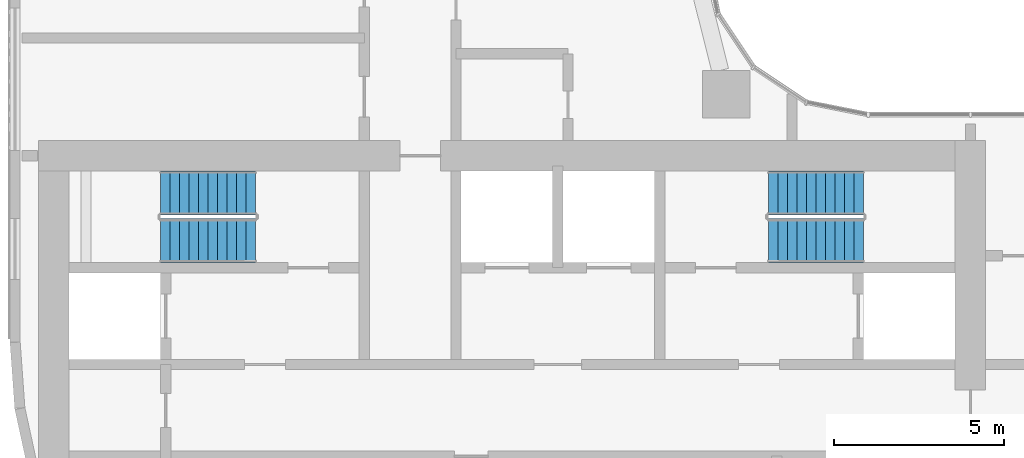
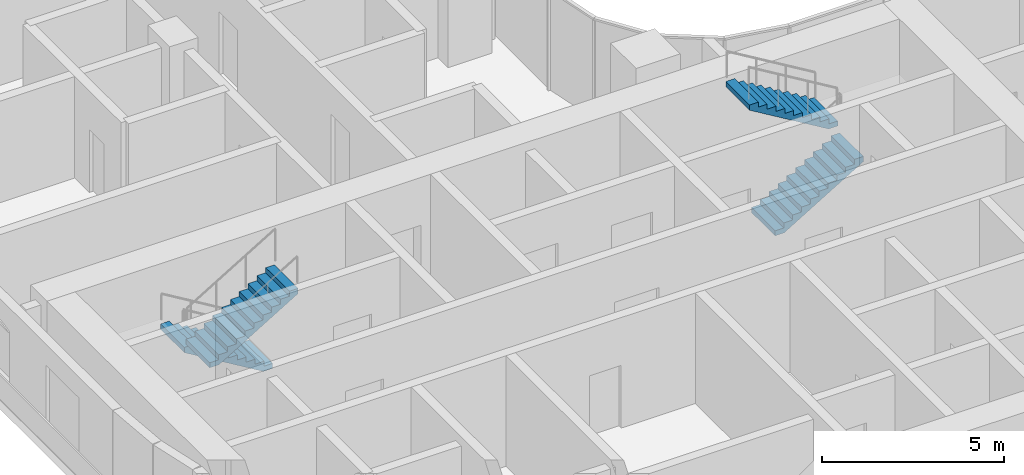
# One storey, part 27 of 36: 4 stair flights, 2 elements without a shape of their own.
"""IFC4 building model written with IfcOpenShell, lengths in metres."""

from ifc_helpers import new_model, si_unit, direction, frame, origin, place, context, subcontext, project, spatial, triangles, source, transform, mapped, material, type_object, element, aggregate, save


model = new_model("IFC4")

# Units and contexts
model_context = context("Model", 3, precision=1e-05, world=origin(), true_north=direction((0.0, 1.0)))
body_context = subcontext(model_context, "Body", "Model", "MODEL_VIEW")
ifc_project = project(units=[si_unit("LENGTHUNIT", "METRE"), si_unit("AREAUNIT", "SQUARE_METRE"), si_unit("VOLUMEUNIT", "CUBIC_METRE"), si_unit("PLANEANGLEUNIT", "RADIAN"), si_unit("MASSUNIT", "GRAM", prefix="KILO")], contexts=[model_context])

# Site, building, storey
site_placement = place(None, origin())
site = spatial("IfcSite", under=ifc_project, at=site_placement, CompositionType="ELEMENT")
building_placement = place(site_placement, origin())
building = spatial("IfcBuilding", under=site, at=building_placement, Name="Ogive Portal Towers", CompositionType="ELEMENT")
storey_placement = place(building_placement, frame((0.0, 0.0, 48.300048828125)))
storey = spatial("IfcBuildingStorey", under=building, at=storey_placement, Name="L10", CompositionType="ELEMENT", Elevation=48.300048828125)

# Stair, stair flights
ifc_material = material(Name="Concrete C40/50", Category="concrete")
stair_type = type_object("IfcStairType", Name="INT-STAIR", PredefinedType="HALF_TURN_STAIR", material=ifc_material)
stair_1_placement = place(storey_placement, origin())
stair_1 = element("IfcStair", 1, at=stair_1_placement, inside=storey, type_object=stair_type, Name="L10 Exit Stair ST-A1", PredefinedType="HALF_TURN_STAIR")
stair_flight_type = type_object("IfcStairFlightType", Name="INT-FLIGHT", PredefinedType="STRAIGHT", material=ifc_material)
shared_shape = source(origin(), body_context, "Body", "Tessellation", [
    triangles([(0.0, -0.650146484375, 0.0), (0.0, -0.376220703125, 0.0), (0.0, -0.192626953125, 0.0), (0.0, -0.081298828125, 0.0), (0.0, -0.024169921875, 0.0), (0.0, -0.003173828125, 0.0), (0.0, 0.0, 0.0), (0.0, 0.0029296875, 0.0), (0.0, 0.02392578125, 0.0), (0.0, 0.0810546875, 0.0), (0.0, 0.1923828125, 0.0), (0.0, 0.3759765625, 0.0), (0.0, 0.64990234375, 0.0), (0.0, -0.650146484375, 0.168212890625), (0.0, -0.376220703125, 0.168212890625), (0.0, -0.192626953125, 0.168212890625), (0.0, -0.081298828125, 0.168212890625), (0.0, -0.024169921875, 0.168212890625), (0.0, -0.003173828125, 0.168212890625), (0.0, 0.0, 0.168212890625), (0.0, 0.0029296875, 0.168212890625), (0.0, 0.02392578125, 0.168212890625), (0.0, 0.0810546875, 0.168212890625), (0.0, 0.1923828125, 0.168212890625), (0.0, 0.3759765625, 0.168212890625), (0.0, 0.64990234375, 0.168212890625), (0.280029296875, -0.650146484375, 0.168212890625), (0.280029296875, -0.376220703125, 0.168212890625), (0.280029296875, -0.192626953125, 0.168212890625), (0.280029296875, -0.081298828125, 0.168212890625), (0.280029296875, -0.024169921875, 0.168212890625), (0.280029296875, -0.003173828125, 0.168212890625), (0.280029296875, 0.0, 0.168212890625), (0.280029296875, 0.0029296875, 0.168212890625), (0.280029296875, 0.02392578125, 0.168212890625), (0.280029296875, 0.0810546875, 0.168212890625), (0.280029296875, 0.1923828125, 0.168212890625), (0.280029296875, 0.3759765625, 0.168212890625), (0.280029296875, 0.64990234375, 0.168212890625), (0.280029296875, -0.650146484375, 0.33642578125), (0.280029296875, -0.376220703125, 0.33642578125), (0.280029296875, -0.192626953125, 0.33642578125), (0.280029296875, -0.081298828125, 0.33642578125), (0.280029296875, -0.024169921875, 0.33642578125), (0.280029296875, -0.003173828125, 0.33642578125), (0.280029296875, 0.0, 0.33642578125), (0.280029296875, 0.0029296875, 0.33642578125), (0.280029296875, 0.02392578125, 0.33642578125), (0.280029296875, 0.0810546875, 0.33642578125), (0.280029296875, 0.1923828125, 0.33642578125), (0.280029296875, 0.3759765625, 0.33642578125), (0.280029296875, 0.64990234375, 0.33642578125), (0.56005859375, -0.650146484375, 0.33642578125), (0.56005859375, -0.376220703125, 0.33642578125), (0.56005859375, -0.192626953125, 0.33642578125), (0.56005859375, -0.081298828125, 0.33642578125), (0.56005859375, -0.024169921875, 0.33642578125), (0.56005859375, -0.003173828125, 0.33642578125), (0.56005859375, 0.0, 0.33642578125), (0.56005859375, 0.0029296875, 0.33642578125), (0.56005859375, 0.02392578125, 0.33642578125), (0.56005859375, 0.0810546875, 0.33642578125), (0.56005859375, 0.1923828125, 0.33642578125), (0.56005859375, 0.3759765625, 0.33642578125), (0.56005859375, 0.64990234375, 0.33642578125), (0.56005859375, -0.650146484375, 0.504638671875), (0.56005859375, -0.376220703125, 0.504638671875), (0.56005859375, -0.192626953125, 0.504638671875), (0.56005859375, -0.081298828125, 0.504638671875), (0.56005859375, -0.024169921875, 0.504638671875), (0.56005859375, -0.003173828125, 0.504638671875), (0.56005859375, 0.0, 0.504638671875), (0.56005859375, 0.0029296875, 0.504638671875), (0.56005859375, 0.02392578125, 0.504638671875), (0.56005859375, 0.0810546875, 0.504638671875), (0.56005859375, 0.1923828125, 0.504638671875), (0.56005859375, 0.3759765625, 0.504638671875), (0.56005859375, 0.64990234375, 0.504638671875), (0.840087890625, -0.650146484375, 0.504638671875), (0.840087890625, -0.376220703125, 0.504638671875), (0.840087890625, -0.192626953125, 0.504638671875), (0.840087890625, -0.081298828125, 0.504638671875), (0.840087890625, -0.024169921875, 0.504638671875), (0.840087890625, -0.003173828125, 0.504638671875), (0.840087890625, 0.0, 0.504638671875), (0.840087890625, 0.0029296875, 0.504638671875), (0.840087890625, 0.02392578125, 0.504638671875), (0.840087890625, 0.0810546875, 0.504638671875), (0.840087890625, 0.1923828125, 0.504638671875), (0.840087890625, 0.3759765625, 0.504638671875), (0.840087890625, 0.64990234375, 0.504638671875), (0.840087890625, -0.650146484375, 0.672607421875), (0.840087890625, -0.376220703125, 0.672607421875), (0.840087890625, -0.192626953125, 0.672607421875), (0.840087890625, -0.081298828125, 0.672607421875), (0.840087890625, -0.024169921875, 0.672607421875), (0.840087890625, -0.003173828125, 0.672607421875), (0.840087890625, 0.0, 0.672607421875), (0.840087890625, 0.0029296875, 0.672607421875), (0.840087890625, 0.02392578125, 0.672607421875), (0.840087890625, 0.0810546875, 0.672607421875), (0.840087890625, 0.1923828125, 0.672607421875), (0.840087890625, 0.3759765625, 0.672607421875), (0.840087890625, 0.64990234375, 0.672607421875), (1.1201171875, -0.650146484375, 0.672607421875), (1.1201171875, -0.376220703125, 0.672607421875), (1.1201171875, -0.192626953125, 0.672607421875), (1.1201171875, -0.081298828125, 0.672607421875), (1.1201171875, -0.024169921875, 0.672607421875), (1.1201171875, -0.003173828125, 0.672607421875), (1.1201171875, 0.0, 0.672607421875), (1.1201171875, 0.0029296875, 0.672607421875), (1.1201171875, 0.02392578125, 0.672607421875), (1.1201171875, 0.0810546875, 0.672607421875), (1.1201171875, 0.1923828125, 0.672607421875), (1.1201171875, 0.3759765625, 0.672607421875), (1.1201171875, 0.64990234375, 0.672607421875), (1.1201171875, -0.650146484375, 0.8408203125), (1.1201171875, -0.376220703125, 0.8408203125), (1.1201171875, -0.192626953125, 0.8408203125), (1.1201171875, -0.081298828125, 0.8408203125), (1.1201171875, -0.024169921875, 0.8408203125), (1.1201171875, -0.003173828125, 0.8408203125), (1.1201171875, 0.0, 0.8408203125), (1.1201171875, 0.0029296875, 0.8408203125), (1.1201171875, 0.02392578125, 0.8408203125), (1.1201171875, 0.0810546875, 0.8408203125), (1.1201171875, 0.1923828125, 0.8408203125), (1.1201171875, 0.3759765625, 0.8408203125), (1.1201171875, 0.64990234375, 0.8408203125), (1.39990234375, -0.650146484375, 0.8408203125), (1.39990234375, -0.376220703125, 0.8408203125), (1.39990234375, -0.192626953125, 0.8408203125), (1.39990234375, -0.081298828125, 0.8408203125), (1.39990234375, -0.024169921875, 0.8408203125), (1.39990234375, -0.003173828125, 0.8408203125), (1.39990234375, 0.0, 0.8408203125), (1.39990234375, 0.0029296875, 0.8408203125), (1.39990234375, 0.02392578125, 0.8408203125), (1.39990234375, 0.0810546875, 0.8408203125), (1.39990234375, 0.1923828125, 0.8408203125), (1.39990234375, 0.3759765625, 0.8408203125), (1.39990234375, 0.64990234375, 0.8408203125), (1.39990234375, -0.650146484375, 1.009033203125), (1.39990234375, -0.376220703125, 1.009033203125), (1.39990234375, -0.192626953125, 1.009033203125), (1.39990234375, -0.081298828125, 1.009033203125), (1.39990234375, -0.024169921875, 1.009033203125), (1.39990234375, -0.003173828125, 1.009033203125), (1.39990234375, 0.0, 1.009033203125), (1.39990234375, 0.0029296875, 1.009033203125), (1.39990234375, 0.02392578125, 1.009033203125), (1.39990234375, 0.0810546875, 1.009033203125), (1.39990234375, 0.1923828125, 1.009033203125), (1.39990234375, 0.3759765625, 1.009033203125), (1.39990234375, 0.64990234375, 1.009033203125), (1.679931640625, -0.650146484375, 1.009033203125), (1.679931640625, -0.376220703125, 1.009033203125), (1.679931640625, -0.192626953125, 1.009033203125), (1.679931640625, -0.081298828125, 1.009033203125), (1.679931640625, -0.024169921875, 1.009033203125), (1.679931640625, -0.003173828125, 1.009033203125), (1.679931640625, 0.0, 1.009033203125), (1.679931640625, 0.0029296875, 1.009033203125), (1.679931640625, 0.02392578125, 1.009033203125), (1.679931640625, 0.0810546875, 1.009033203125), (1.679931640625, 0.1923828125, 1.009033203125), (1.679931640625, 0.3759765625, 1.009033203125), (1.679931640625, 0.64990234375, 1.009033203125), (1.679931640625, -0.650146484375, 1.17724609375), (1.679931640625, -0.376220703125, 1.17724609375), (1.679931640625, -0.192626953125, 1.17724609375), (1.679931640625, -0.081298828125, 1.17724609375), (1.679931640625, -0.024169921875, 1.17724609375), (1.679931640625, -0.003173828125, 1.17724609375), (1.679931640625, 0.0, 1.17724609375), (1.679931640625, 0.0029296875, 1.17724609375), (1.679931640625, 0.02392578125, 1.17724609375), (1.679931640625, 0.0810546875, 1.17724609375), (1.679931640625, 0.1923828125, 1.17724609375), (1.679931640625, 0.3759765625, 1.17724609375), (1.679931640625, 0.64990234375, 1.17724609375), (1.9599609375, -0.650146484375, 1.17724609375), (1.9599609375, -0.376220703125, 1.17724609375), (1.9599609375, -0.192626953125, 1.17724609375), (1.9599609375, -0.081298828125, 1.17724609375), (1.9599609375, -0.024169921875, 1.17724609375), (1.9599609375, -0.003173828125, 1.17724609375), (1.9599609375, 0.0, 1.17724609375), (1.9599609375, 0.0029296875, 1.17724609375), (1.9599609375, 0.02392578125, 1.17724609375), (1.9599609375, 0.0810546875, 1.17724609375), (1.9599609375, 0.1923828125, 1.17724609375), (1.9599609375, 0.3759765625, 1.17724609375), (1.9599609375, 0.64990234375, 1.17724609375), (1.9599609375, -0.650146484375, 1.345458984375), (1.9599609375, -0.376220703125, 1.345458984375), (1.9599609375, -0.192626953125, 1.345458984375), (1.9599609375, -0.081298828125, 1.345458984375), (1.9599609375, -0.024169921875, 1.345458984375), (1.9599609375, -0.003173828125, 1.345458984375), (1.9599609375, 0.0, 1.345458984375), (1.9599609375, 0.0029296875, 1.345458984375), (1.9599609375, 0.02392578125, 1.345458984375), (1.9599609375, 0.0810546875, 1.345458984375), (1.9599609375, 0.1923828125, 1.345458984375), (1.9599609375, 0.3759765625, 1.345458984375), (1.9599609375, 0.64990234375, 1.345458984375), (2.239990234375, -0.650146484375, 1.345458984375), (2.239990234375, -0.376220703125, 1.345458984375), (2.239990234375, -0.192626953125, 1.345458984375), (2.239990234375, -0.081298828125, 1.345458984375), (2.239990234375, -0.024169921875, 1.345458984375), (2.239990234375, -0.003173828125, 1.345458984375), (2.239990234375, 0.0, 1.345458984375), (2.239990234375, 0.0029296875, 1.345458984375), (2.239990234375, 0.02392578125, 1.345458984375), (2.239990234375, 0.0810546875, 1.345458984375), (2.239990234375, 0.1923828125, 1.345458984375), (2.239990234375, 0.3759765625, 1.345458984375), (2.239990234375, 0.64990234375, 1.345458984375), (2.239990234375, -0.650146484375, 1.513671875), (2.239990234375, -0.376220703125, 1.513671875), (2.239990234375, -0.192626953125, 1.513671875), (2.239990234375, -0.081298828125, 1.513671875), (2.239990234375, -0.024169921875, 1.513671875), (2.239990234375, -0.003173828125, 1.513671875), (2.239990234375, 0.0, 1.513671875), (2.239990234375, 0.0029296875, 1.513671875), (2.239990234375, 0.02392578125, 1.513671875), (2.239990234375, 0.0810546875, 1.513671875), (2.239990234375, 0.1923828125, 1.513671875), (2.239990234375, 0.3759765625, 1.513671875), (2.239990234375, 0.64990234375, 1.513671875), (2.52001953125, -0.650146484375, 1.513671875), (2.52001953125, -0.376220703125, 1.513671875), (2.52001953125, -0.192626953125, 1.513671875), (2.52001953125, -0.081298828125, 1.513671875), (2.52001953125, -0.024169921875, 1.513671875), (2.52001953125, -0.003173828125, 1.513671875), (2.52001953125, 0.0, 1.513671875), (2.52001953125, 0.0029296875, 1.513671875), (2.52001953125, 0.02392578125, 1.513671875), (2.52001953125, 0.0810546875, 1.513671875), (2.52001953125, 0.1923828125, 1.513671875), (2.52001953125, 0.3759765625, 1.513671875), (2.52001953125, 0.64990234375, 1.513671875), (2.52001953125, -0.650146484375, 1.681884765625), (2.52001953125, -0.376220703125, 1.681884765625), (2.52001953125, -0.192626953125, 1.681884765625), (2.52001953125, -0.081298828125, 1.681884765625), (2.52001953125, -0.024169921875, 1.681884765625), (2.52001953125, -0.003173828125, 1.681884765625), (2.52001953125, 0.0, 1.681884765625), (2.52001953125, 0.0029296875, 1.681884765625), (2.52001953125, 0.02392578125, 1.681884765625), (2.52001953125, 0.0810546875, 1.681884765625), (2.52001953125, 0.1923828125, 1.681884765625), (2.52001953125, 0.3759765625, 1.681884765625), (2.52001953125, 0.64990234375, 1.681884765625), (2.800048828125, -0.650146484375, 1.681884765625), (2.800048828125, -0.376220703125, 1.681884765625), (2.800048828125, -0.192626953125, 1.681884765625), (2.800048828125, -0.081298828125, 1.681884765625), (2.800048828125, -0.024169921875, 1.681884765625), (2.800048828125, -0.003173828125, 1.681884765625), (2.800048828125, 0.0, 1.681884765625), (2.800048828125, 0.0029296875, 1.681884765625), (2.800048828125, 0.02392578125, 1.681884765625), (2.800048828125, 0.0810546875, 1.681884765625), (2.800048828125, 0.1923828125, 1.681884765625), (2.800048828125, 0.3759765625, 1.681884765625), (2.800048828125, 0.64990234375, 1.681884765625), (2.800048828125, -0.650146484375, 1.5068359375), (2.800048828125, -0.376220703125, 1.5068359375), (2.800048828125, -0.192626953125, 1.5068359375), (2.800048828125, -0.081298828125, 1.5068359375), (2.800048828125, -0.024169921875, 1.5068359375), (2.800048828125, -0.003173828125, 1.5068359375), (2.800048828125, 0.0, 1.5068359375), (2.800048828125, 0.0029296875, 1.5068359375), (2.800048828125, 0.02392578125, 1.5068359375), (2.800048828125, 0.0810546875, 1.5068359375), (2.800048828125, 0.1923828125, 1.5068359375), (2.800048828125, 0.3759765625, 1.5068359375), (2.800048828125, 0.64990234375, 1.5068359375), (0.291015625, -0.650146484375, 0.0), (0.291015625, -0.376220703125, 0.0), (0.291015625, -0.192626953125, 0.0), (0.291015625, -0.081298828125, 0.0), (0.291015625, -0.024169921875, 0.0), (0.291015625, -0.003173828125, 0.0), (0.291015625, 0.0, 0.0), (0.291015625, 0.0029296875, 0.0), (0.291015625, 0.02392578125, 0.0), (0.291015625, 0.0810546875, 0.0), (0.291015625, 0.1923828125, 0.0), (0.291015625, 0.3759765625, 0.0), (0.291015625, 0.64990234375, 0.0)], [[1, 14, 15], [1, 15, 2], [2, 15, 16], [2, 16, 3], [3, 16, 17], [3, 17, 4], [4, 17, 18], [4, 18, 5], [5, 18, 19], [5, 19, 6], [6, 19, 20], [6, 20, 7], [7, 20, 21], [7, 21, 8], [8, 21, 22], [8, 22, 9], [9, 22, 23], [9, 23, 10], [10, 23, 24], [10, 24, 11], [11, 24, 25], [11, 25, 12], [12, 25, 26], [12, 26, 13], [14, 27, 28], [14, 28, 15], [15, 28, 29], [15, 29, 16], [16, 29, 30], [16, 30, 17], [17, 30, 31], [17, 31, 18], [18, 31, 32], [18, 32, 19], [19, 32, 33], [19, 33, 20], [20, 33, 34], [20, 34, 21], [21, 34, 35], [21, 35, 22], [22, 35, 36], [22, 36, 23], [23, 36, 37], [23, 37, 24], [24, 37, 38], [24, 38, 25], [25, 38, 39], [25, 39, 26], [27, 40, 41], [27, 41, 28], [28, 41, 42], [28, 42, 29], [29, 42, 43], [29, 43, 30], [30, 43, 44], [30, 44, 31], [31, 44, 45], [31, 45, 32], [32, 45, 46], [32, 46, 33], [33, 46, 47], [33, 47, 34], [34, 47, 48], [34, 48, 35], [35, 48, 49], [35, 49, 36], [36, 49, 50], [36, 50, 37], [37, 50, 51], [37, 51, 38], [38, 51, 52], [38, 52, 39], [40, 53, 54], [40, 54, 41], [41, 54, 55], [41, 55, 42], [42, 55, 56], [42, 56, 43], [43, 56, 57], [43, 57, 44], [44, 57, 58], [44, 58, 45], [45, 58, 59], [45, 59, 46], [46, 59, 60], [46, 60, 47], [47, 60, 61], [47, 61, 48], [48, 61, 62], [48, 62, 49], [49, 62, 63], [49, 63, 50], [50, 63, 64], [50, 64, 51], [51, 64, 65], [51, 65, 52], [53, 66, 67], [53, 67, 54], [54, 67, 68], [54, 68, 55], [55, 68, 69], [55, 69, 56], [56, 69, 70], [56, 70, 57], [57, 70, 71], [57, 71, 58], [58, 71, 72], [58, 72, 59], [59, 72, 73], [59, 73, 60], [60, 73, 74], [60, 74, 61], [61, 74, 75], [61, 75, 62], [62, 75, 76], [62, 76, 63], [63, 76, 77], [63, 77, 64], [64, 77, 78], [64, 78, 65], [66, 79, 80], [66, 80, 67], [67, 80, 81], [67, 81, 68], [68, 81, 82], [68, 82, 69], [69, 82, 83], [69, 83, 70], [70, 83, 84], [70, 84, 71], [71, 84, 85], [71, 85, 72], [72, 85, 86], [72, 86, 73], [73, 86, 87], [73, 87, 74], [74, 87, 88], [74, 88, 75], [75, 88, 89], [75, 89, 76], [76, 89, 90], [76, 90, 77], [77, 90, 91], [77, 91, 78], [79, 92, 93], [79, 93, 80], [80, 93, 94], [80, 94, 81], [81, 94, 95], [81, 95, 82], [82, 95, 96], [82, 96, 83], [83, 96, 97], [83, 97, 84], [84, 97, 98], [84, 98, 85], [85, 98, 99], [85, 99, 86], [86, 99, 100], [86, 100, 87], [87, 100, 101], [87, 101, 88], [88, 101, 102], [88, 102, 89], [89, 102, 103], [89, 103, 90], [90, 103, 104], [90, 104, 91], [92, 105, 106], [92, 106, 93], [93, 106, 107], [93, 107, 94], [94, 107, 108], [94, 108, 95], [95, 108, 109], [95, 109, 96], [96, 109, 110], [96, 110, 97], [97, 110, 111], [97, 111, 98], [98, 111, 112], [98, 112, 99], [99, 112, 113], [99, 113, 100], [100, 113, 114], [100, 114, 101], [101, 114, 115], [101, 115, 102], [102, 115, 116], [102, 116, 103], [103, 116, 117], [103, 117, 104], [105, 118, 119], [105, 119, 106], [106, 119, 120], [106, 120, 107], [107, 120, 121], [107, 121, 108], [108, 121, 122], [108, 122, 109], [109, 122, 123], [109, 123, 110], [110, 123, 124], [110, 124, 111], [111, 124, 125], [111, 125, 112], [112, 125, 126], [112, 126, 113], [113, 126, 127], [113, 127, 114], [114, 127, 128], [114, 128, 115], [115, 128, 129], [115, 129, 116], [116, 129, 130], [116, 130, 117], [118, 131, 132], [118, 132, 119], [119, 132, 133], [119, 133, 120], [120, 133, 134], [120, 134, 121], [121, 134, 135], [121, 135, 122], [122, 135, 136], [122, 136, 123], [123, 136, 137], [123, 137, 124], [124, 137, 138], [124, 138, 125], [125, 138, 139], [125, 139, 126], [126, 139, 140], [126, 140, 127], [127, 140, 141], [127, 141, 128], [128, 141, 142], [128, 142, 129], [129, 142, 143], [129, 143, 130], [131, 144, 145], [131, 145, 132], [132, 145, 146], [132, 146, 133], [133, 146, 147], [133, 147, 134], [134, 147, 148], [134, 148, 135], [135, 148, 149], [135, 149, 136], [136, 149, 150], [136, 150, 137], [137, 150, 151], [137, 151, 138], [138, 151, 152], [138, 152, 139], [139, 152, 153], [139, 153, 140], [140, 153, 154], [140, 154, 141], [141, 154, 155], [141, 155, 142], [142, 155, 156], [142, 156, 143], [144, 157, 158], [144, 158, 145], [145, 158, 159], [145, 159, 146], [146, 159, 160], [146, 160, 147], [147, 160, 161], [147, 161, 148], [148, 161, 162], [148, 162, 149], [149, 162, 163], [149, 163, 150], [150, 163, 164], [150, 164, 151], [151, 164, 165], [151, 165, 152], [152, 165, 166], [152, 166, 153], [153, 166, 167], [153, 167, 154], [154, 167, 168], [154, 168, 155], [155, 168, 169], [155, 169, 156], [157, 170, 171], [157, 171, 158], [158, 171, 172], [158, 172, 159], [159, 172, 173], [159, 173, 160], [160, 173, 174], [160, 174, 161], [161, 174, 175], [161, 175, 162], [162, 175, 176], [162, 176, 163], [163, 176, 177], [163, 177, 164], [164, 177, 178], [164, 178, 165], [165, 178, 179], [165, 179, 166], [166, 179, 180], [166, 180, 167], [167, 180, 181], [167, 181, 168], [168, 181, 182], [168, 182, 169], [170, 183, 184], [170, 184, 171], [171, 184, 185], [171, 185, 172], [172, 185, 186], [172, 186, 173], [173, 186, 187], [173, 187, 174], [174, 187, 188], [174, 188, 175], [175, 188, 189], [175, 189, 176], [176, 189, 190], [176, 190, 177], [177, 190, 191], [177, 191, 178], [178, 191, 192], [178, 192, 179], [179, 192, 193], [179, 193, 180], [180, 193, 194], [180, 194, 181], [181, 194, 195], [181, 195, 182], [183, 196, 197], [183, 197, 184], [184, 197, 198], [184, 198, 185], [185, 198, 199], [185, 199, 186], [186, 199, 200], [186, 200, 187], [187, 200, 201], [187, 201, 188], [188, 201, 202], [188, 202, 189], [189, 202, 203], [189, 203, 190], [190, 203, 204], [190, 204, 191], [191, 204, 205], [191, 205, 192], [192, 205, 206], [192, 206, 193], [193, 206, 207], [193, 207, 194], [194, 207, 208], [194, 208, 195], [196, 209, 210], [196, 210, 197], [197, 210, 211], [197, 211, 198], [198, 211, 212], [198, 212, 199], [199, 212, 213], [199, 213, 200], [200, 213, 214], [200, 214, 201], [201, 214, 215], [201, 215, 202], [202, 215, 216], [202, 216, 203], [203, 216, 217], [203, 217, 204], [204, 217, 218], [204, 218, 205], [205, 218, 219], [205, 219, 206], [206, 219, 220], [206, 220, 207], [207, 220, 221], [207, 221, 208], [209, 222, 223], [209, 223, 210], [210, 223, 224], [210, 224, 211], [211, 224, 225], [211, 225, 212], [212, 225, 226], [212, 226, 213], [213, 226, 227], [213, 227, 214], [214, 227, 228], [214, 228, 215], [215, 228, 229], [215, 229, 216], [216, 229, 230], [216, 230, 217], [217, 230, 231], [217, 231, 218], [218, 231, 232], [218, 232, 219], [219, 232, 233], [219, 233, 220], [220, 233, 234], [220, 234, 221], [222, 235, 236], [222, 236, 223], [223, 236, 237], [223, 237, 224], [224, 237, 238], [224, 238, 225], [225, 238, 239], [225, 239, 226], [226, 239, 240], [226, 240, 227], [227, 240, 241], [227, 241, 228], [228, 241, 242], [228, 242, 229], [229, 242, 243], [229, 243, 230], [230, 243, 244], [230, 244, 231], [231, 244, 245], [231, 245, 232], [232, 245, 246], [232, 246, 233], [233, 246, 247], [233, 247, 234], [235, 248, 249], [235, 249, 236], [236, 249, 250], [236, 250, 237], [237, 250, 251], [237, 251, 238], [238, 251, 252], [238, 252, 239], [239, 252, 253], [239, 253, 240], [240, 253, 254], [240, 254, 241], [241, 254, 255], [241, 255, 242], [242, 255, 256], [242, 256, 243], [243, 256, 257], [243, 257, 244], [244, 257, 258], [244, 258, 245], [245, 258, 259], [245, 259, 246], [246, 259, 260], [246, 260, 247], [248, 261, 262], [248, 262, 249], [249, 262, 263], [249, 263, 250], [250, 263, 264], [250, 264, 251], [251, 264, 265], [251, 265, 252], [252, 265, 266], [252, 266, 253], [253, 266, 267], [253, 267, 254], [254, 267, 268], [254, 268, 255], [255, 268, 269], [255, 269, 256], [256, 269, 270], [256, 270, 257], [257, 270, 271], [257, 271, 258], [258, 271, 272], [258, 272, 259], [259, 272, 273], [259, 273, 260], [261, 274, 275], [261, 275, 262], [262, 275, 276], [262, 276, 263], [263, 276, 277], [263, 277, 264], [264, 277, 278], [264, 278, 265], [265, 278, 279], [265, 279, 266], [266, 279, 280], [266, 280, 267], [267, 280, 281], [267, 281, 268], [268, 281, 282], [268, 282, 269], [269, 282, 283], [269, 283, 270], [270, 283, 284], [270, 284, 271], [271, 284, 285], [271, 285, 272], [272, 285, 286], [272, 286, 273], [274, 287, 288], [274, 288, 275], [275, 288, 289], [275, 289, 276], [276, 289, 290], [276, 290, 277], [277, 290, 291], [277, 291, 278], [278, 291, 292], [278, 292, 279], [279, 292, 293], [279, 293, 280], [280, 293, 294], [280, 294, 281], [281, 294, 295], [281, 295, 282], [282, 295, 296], [282, 296, 283], [283, 296, 297], [283, 297, 284], [284, 297, 298], [284, 298, 285], [285, 298, 299], [285, 299, 286], [287, 1, 2], [287, 2, 288], [288, 2, 3], [288, 3, 289], [289, 3, 4], [289, 4, 290], [290, 4, 5], [290, 5, 291], [291, 5, 6], [291, 6, 292], [292, 6, 7], [292, 7, 293], [293, 7, 8], [293, 8, 294], [294, 8, 9], [294, 9, 295], [295, 9, 10], [295, 10, 296], [296, 10, 11], [296, 11, 297], [297, 11, 12], [297, 12, 298], [298, 12, 13], [298, 13, 299], [1, 287, 274], [13, 286, 299], [274, 261, 248], [286, 260, 273], [274, 248, 235], [286, 247, 260], [274, 235, 222], [286, 234, 247], [274, 222, 209], [286, 221, 234], [209, 196, 183], [221, 195, 208], [274, 209, 183], [286, 195, 221], [183, 170, 157], [195, 169, 182], [274, 183, 157], [286, 169, 195], [157, 144, 131], [169, 143, 156], [274, 157, 131], [286, 143, 169], [131, 118, 105], [143, 117, 130], [274, 131, 105], [286, 117, 143], [1, 274, 105], [13, 117, 286], [105, 92, 79], [117, 91, 104], [79, 66, 53], [91, 65, 78], [105, 79, 53], [117, 65, 91], [53, 40, 27], [65, 39, 52], [105, 53, 27], [117, 39, 65], [1, 105, 27], [13, 39, 117], [27, 14, 1], [39, 13, 26]], closed=True),
])
stair_flight_1_placement = place(storey_placement, frame((37.449951171875, 38.39990234375, 0.0), z_axis=(0.0, 0.0, 1.0), x_axis=(-1.0, 0.0, 0.0)))
stair_flight_1 = element("IfcStairFlight", 2, at=stair_flight_1_placement, type_object=stair_flight_type, Name="ST-A1 flight 1", NumberOfRisers=11, NumberOfTreads=10, PredefinedType="STRAIGHT", RiserHeight=0.168181818, TreadLength=0.28, context=body_context, shape_type="MappedRepresentation", body=[
    mapped(shared_shape, transform((0.0, 0.0, 0.0), scale=1.0)),
])
stair_flight_2_placement = place(storey_placement, frame((34.64990234375, 37.0, 1.849853515625), z_axis=(0.0, 0.0, 1.0), x_axis=(1.0, 0.0, 0.0)))
stair_flight_2 = element("IfcStairFlight", 3, at=stair_flight_2_placement, type_object=stair_flight_type, Name="ST-A1 flight 2", NumberOfRisers=11, NumberOfTreads=10, PredefinedType="STRAIGHT", RiserHeight=0.168181818, TreadLength=0.28, context=body_context, shape_type="MappedRepresentation", body=[
    mapped(shared_shape, transform((0.0, 0.0, 0.0), scale=1.0)),
])
aggregate(stair_1, [stair_flight_1, stair_flight_2])

stair_2_placement = place(storey_placement, origin())
stair_2 = element("IfcStair", 4, at=stair_2_placement, inside=storey, type_object=stair_type, Name="L10 Exit Stair ST-A2", PredefinedType="HALF_TURN_STAIR")
stair_flight_3_placement = place(storey_placement, frame((52.550048828125, 37.0, 0.0), z_axis=(0.0, 0.0, 1.0), x_axis=(1.0, 0.0, 0.0)))
stair_flight_3 = element("IfcStairFlight", 5, at=stair_flight_3_placement, type_object=stair_flight_type, Name="ST-A2 flight 1", NumberOfRisers=11, NumberOfTreads=10, PredefinedType="STRAIGHT", RiserHeight=0.168181818, TreadLength=0.28, context=body_context, shape_type="MappedRepresentation", body=[
    mapped(shared_shape, transform((0.0, 0.0, 0.0), scale=1.0)),
])
stair_flight_4_placement = place(storey_placement, frame((55.35009765625, 38.39990234375, 1.849853515625), z_axis=(0.0, 0.0, 1.0), x_axis=(-1.0, 0.0, 0.0)))
stair_flight_4 = element("IfcStairFlight", 6, at=stair_flight_4_placement, type_object=stair_flight_type, Name="ST-A2 flight 2", NumberOfRisers=11, NumberOfTreads=10, PredefinedType="STRAIGHT", RiserHeight=0.168181818, TreadLength=0.28, context=body_context, shape_type="MappedRepresentation", body=[
    mapped(shared_shape, transform((0.0, 0.0, 0.0), scale=1.0)),
])
aggregate(stair_2, [stair_flight_3, stair_flight_4])

save(model, "model.ifc")
